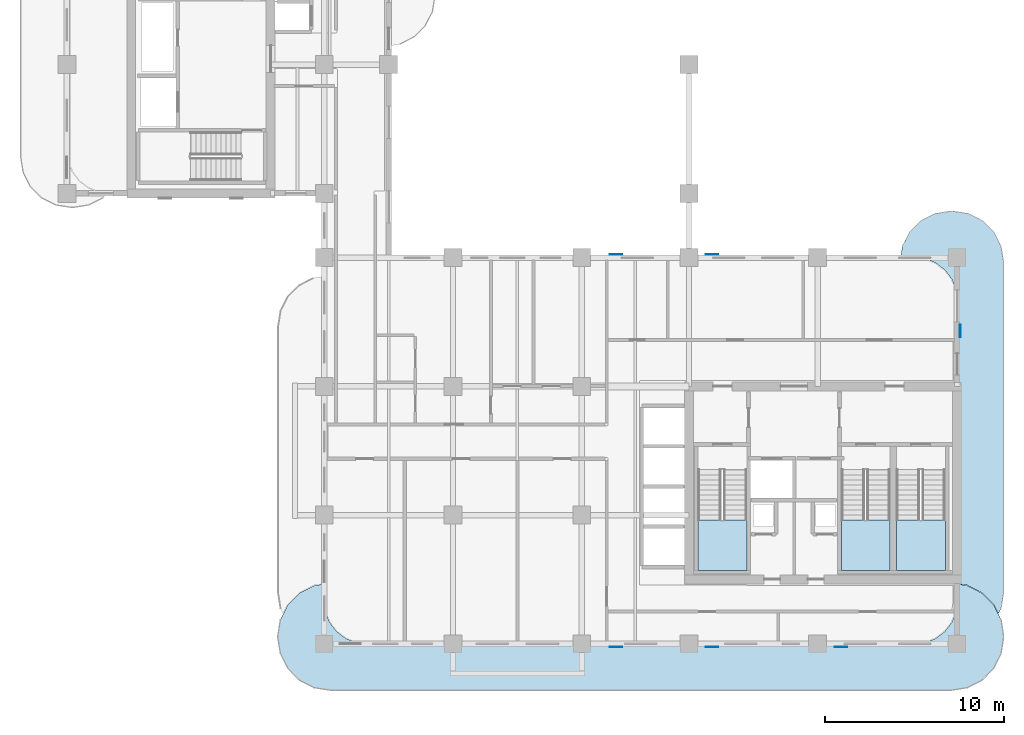
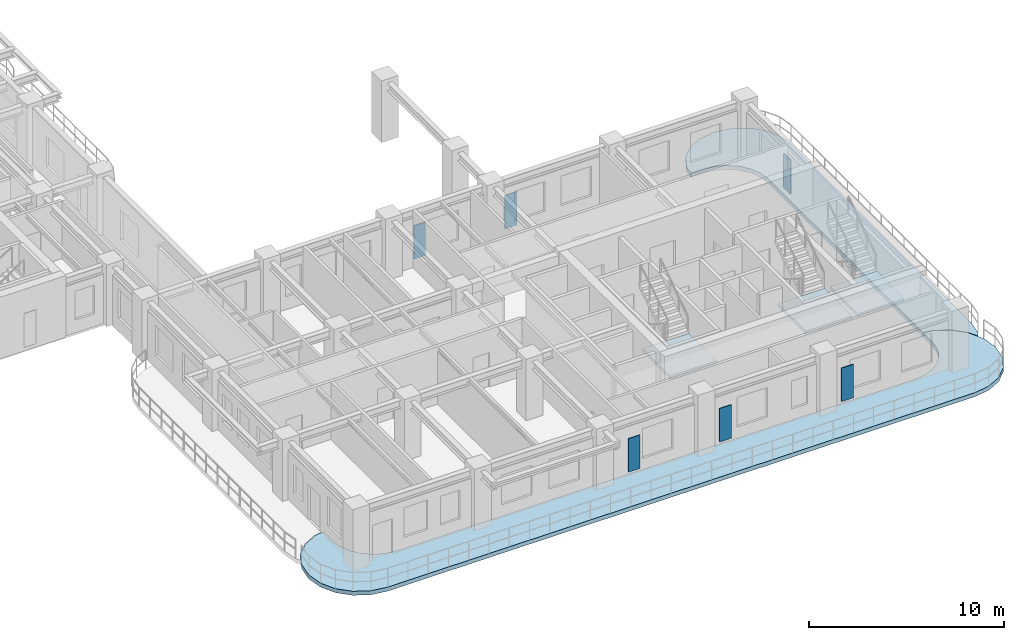
# One storey, part 4 of 15: 6 plates, 5 slabs, 3 elements without a shape of their own.
"""IFC4 building model written with IfcOpenShell, lengths in metres."""

import ifcopenshell
import ifcopenshell.guid

model = None  # the IFC model being written
_history = None  # IfcOwnerHistory: only IFC2X3 demands one
_inside = {}  # id of a spatial element -> (the spatial element, [elements in it])
_under = {}  # id of a project, library or spatial element -> (it, [spatial elements below it])
_declared = {}  # id of a project -> (the project, [libraries it declares])
_typed = {}  # id of a type object -> (the type object, [elements of that type])
_made_of = {}  # id of a material, layer set ... -> (it, [elements and type objects made of it])


def new_model(schema):
    """Start an empty IFC model of exactly this schema.

    Asked for "IFC4X3", IfcOpenShell would pick the latest addendum, in which some entities
    have other attributes; the version numbers below select the first issue.
    IFC2X3 requires an IfcOwnerHistory on every rooted entity: one is made here for all.
    """
    global model, _history
    if schema == "IFC4X3":
        model = ifcopenshell.file(schema_version=(4, 3, 0, 0))
    else:
        model = ifcopenshell.file(schema=schema)
    _inside.clear()
    _under.clear()
    _declared.clear()
    _typed.clear()
    _made_of.clear()
    _history = None
    if model.schema == "IFC2X3":
        org = make("IfcOrganization", Name="unknown")
        user = make(
            "IfcPersonAndOrganization",
            ThePerson=make("IfcPerson", FamilyName="unknown"),
            TheOrganization=org,
        )
        app = make(
            "IfcApplication",
            ApplicationDeveloper=org,
            Version="unknown",
            ApplicationFullName="unknown",
            ApplicationIdentifier="unknown",
        )
        _history = make(
            "IfcOwnerHistory",
            OwningUser=user,
            OwningApplication=app,
            ChangeAction="ADDED",
            CreationDate=0,
        )
    return model


def make(cls, **values):
    """One entity of the class cls with the attributes given. An attribute that is None is left unset."""
    return model.create_entity(
        cls, **{name: value for name, value in values.items() if value is not None}
    )


def rooted(cls, **values):
    """An entity with a GlobalId (a new one), such as an element, a storey or a relation."""
    return make(cls, GlobalId=ifcopenshell.guid.new(), OwnerHistory=_history, **values)


def si_unit(unit_type, name, prefix=None):
    """IfcSIUnit, for example si_unit("LENGTHUNIT", "METRE", prefix="MILLI")."""
    return make("IfcSIUnit", UnitType=unit_type, Prefix=prefix, Name=name)


def derived_unit(unit_type, elements):
    """IfcDerivedUnit: a product of units, each with its exponent."""
    return make(
        "IfcDerivedUnit",
        Elements=[
            make("IfcDerivedUnitElement", Unit=unit, Exponent=power)
            for unit, power in elements
        ],
        UnitType=unit_type,
    )


def assignment(units):
    """IfcUnitAssignment: the units of a project."""
    return None if units is None else make("IfcUnitAssignment", Units=units)


def point(xyz):
    """IfcCartesianPoint."""
    return None if xyz is None else make("IfcCartesianPoint", Coordinates=xyz)


def direction(xyz):
    """IfcDirection."""
    return None if xyz is None else make("IfcDirection", DirectionRatios=xyz)


def frame(location, z_axis=None, x_axis=None):
    """IfcAxis2Placement3D, a coordinate frame: its origin and axes. An axis left out is left unset."""
    return make(
        "IfcAxis2Placement3D",
        Location=point(location),
        Axis=direction(z_axis),
        RefDirection=direction(x_axis),
    )


def frame_2d(location, x_axis=None):
    """IfcAxis2Placement2D, a coordinate frame in the plane: its origin and x axis."""
    return make(
        "IfcAxis2Placement2D", Location=point(location), RefDirection=direction(x_axis)
    )


def origin():
    """The frame at (0, 0, 0) with its axes left unset."""
    return frame((0.0, 0.0, 0.0))


def origin_2d():
    """The frame at (0, 0) in the plane with its x axis left unset."""
    return frame_2d((0.0, 0.0))


def place(relative_to, where):
    """IfcLocalPlacement: puts the frame where relative to a parent placement (None: the world)."""
    return make(
        "IfcLocalPlacement", PlacementRelTo=relative_to, RelativePlacement=where
    )


def context(
    kind, dimensions, precision=None, world=None, true_north=None, identifier=None
):
    """IfcGeometricRepresentationContext, for example the 3D "Model" context."""
    return make(
        "IfcGeometricRepresentationContext",
        ContextIdentifier=identifier,
        ContextType=kind,
        CoordinateSpaceDimension=dimensions,
        Precision=precision,
        WorldCoordinateSystem=world,
        TrueNorth=true_north,
    )


def subcontext(parent, identifier, kind, view, scale=None):
    """IfcGeometricRepresentationSubContext, for example "Body" below "Model"."""
    return make(
        "IfcGeometricRepresentationSubContext",
        ContextIdentifier=identifier,
        ContextType=kind,
        ParentContext=parent,
        TargetScale=scale,
        TargetView=view,
    )


def project(units=None, contexts=None):
    """IfcProject with its units and contexts."""
    return rooted(
        "IfcProject",
        Name="project",
        RepresentationContexts=contexts,
        UnitsInContext=assignment(units),
    )


def spatial(cls, under=None, at=None, **own):
    """A site, building, storey or space (cls), placed at a placement, below another one or the project."""
    s = rooted(cls, ObjectPlacement=at, **own)
    if under is not None:
        _under.setdefault(under.id(), (under, []))[1].append(s)
    return s


def polyline(points):
    """IfcPolyline through the points."""
    return make("IfcPolyline", Points=[point(p) for p in points])


def profile(cls, at=None, kind="AREA", **sizes):
    """A parametric profile (cls). Its sizes go by their IFC names, for example OverallWidth=200.0."""
    return make(cls, ProfileType=kind, Position=at, **sizes)


def rectangle(**sizes):
    """IfcRectangleProfileDef."""
    return profile("IfcRectangleProfileDef", **sizes)


def outline(outer, holes=None, kind="AREA"):
    """IfcArbitraryClosedProfileDef: a profile drawn as a closed curve; with holes, ...WithVoids."""
    if holes is None:
        return make("IfcArbitraryClosedProfileDef", ProfileType=kind, OuterCurve=outer)
    return make(
        "IfcArbitraryProfileDefWithVoids",
        ProfileType=kind,
        OuterCurve=outer,
        InnerCurves=holes,
    )


def extrude(swept, where, along, depth):
    """IfcExtrudedAreaSolid: the profile swept, set in the frame where, extruded along a direction by depth."""
    return make(
        "IfcExtrudedAreaSolid",
        SweptArea=swept,
        Position=where,
        ExtrudedDirection=direction(along),
        Depth=depth,
    )


def shape(context_of_items, identifier, shape_type, items):
    """IfcShapeRepresentation: the items that make up one representation, for example the "Body"."""
    return make(
        "IfcShapeRepresentation",
        ContextOfItems=context_of_items,
        RepresentationIdentifier=identifier,
        RepresentationType=shape_type,
        Items=items,
    )


def source(mapping_origin, context_of_items, identifier, shape_type, items):
    """IfcRepresentationMap: a shape defined once, which mapped items show again and again."""
    return make(
        "IfcRepresentationMap",
        MappingOrigin=mapping_origin,
        MappedRepresentation=shape(context_of_items, identifier, shape_type, items),
    )


def transform(
    local_origin,
    x_axis=None,
    y_axis=None,
    z_axis=None,
    scale=None,
    scale2=None,
    scale3=None,
    uniform=True,
):
    """IfcCartesianTransformationOperator3D, or its non-uniform kind. x_axis, y_axis, z_axis: its Axis1, 2, 3."""
    if uniform:
        return make(
            "IfcCartesianTransformationOperator3D",
            Axis1=direction(x_axis),
            Axis2=direction(y_axis),
            LocalOrigin=point(local_origin),
            Scale=scale,
            Axis3=direction(z_axis),
        )
    return make(
        "IfcCartesianTransformationOperator3DnonUniform",
        Axis1=direction(x_axis),
        Axis2=direction(y_axis),
        LocalOrigin=point(local_origin),
        Scale=scale,
        Axis3=direction(z_axis),
        Scale2=scale2,
        Scale3=scale3,
    )


def mapped(mapping_source, mapping_target):
    """IfcMappedItem: shows the shape of a source again, moved by a transform."""
    return make(
        "IfcMappedItem", MappingSource=mapping_source, MappingTarget=mapping_target
    )


def material(Name=None, Category=None):
    """IfcMaterial."""
    return make("IfcMaterial", Name=Name, Category=Category)


def layer(
    of_material, thickness, ventilated=None, Name=None, Category=None, Priority=None
):
    """IfcMaterialLayer: one layer of a wall or slab, of a material (None: an air gap)."""
    return make(
        "IfcMaterialLayer",
        Material=of_material,
        LayerThickness=thickness,
        IsVentilated=ventilated,
        Name=Name,
        Category=Category,
        Priority=Priority,
    )


def layer_set(layers, Name=None):
    """IfcMaterialLayerSet."""
    return make("IfcMaterialLayerSet", MaterialLayers=layers, LayerSetName=Name)


def made_of(thing, what):
    """Note that an element or type object is made of a material, layer set ...; save() writes the relation."""
    if what is not None:
        _made_of.setdefault(what.id(), (what, []))[1].append(thing)
    return thing


def type_object(cls, material=None, **own):
    """A type object (cls), such as IfcWallType, which elements share."""
    return made_of(rooted(cls, **own), material)


def type_shapes(of_type, sources):
    """Give a type object the sources (RepresentationMaps) that its elements show as mapped items."""
    of_type.RepresentationMaps = sources


def element(
    cls,
    number,
    at=None,
    inside=None,
    cuts=None,
    type_object=None,
    material=None,
    context=None,
    identifier="Body",
    shape_type=None,
    held_by="IfcProductDefinitionShape",
    body=None,
    shapes=None,
    **own,
):
    """One element of the class cls, such as IfcWall. Its Tag is "e" and its number.

    at: its placement. inside: the storey or other place that contains it. cuts: it is an
    opening in that element (IfcRelVoidsElement). A single representation is given by context,
    identifier, shape_type and body (its items); several are given by shapes. held_by: the class
    of the entity that holds the representations. save() writes the other relations.
    """
    e = rooted(cls, Tag="e%d" % number, ObjectPlacement=at, **own)
    if body is not None:
        shapes = [shape(context, identifier, shape_type, body)]
    if shapes is not None:
        e.Representation = make(held_by, Representations=shapes)
    if inside is not None:
        _inside.setdefault(inside.id(), (inside, []))[1].append(e)
    if cuts is not None:
        rooted(
            "IfcRelVoidsElement", RelatingBuildingElement=cuts, RelatedOpeningElement=e
        )
    if type_object is not None:
        _typed.setdefault(type_object.id(), (type_object, []))[1].append(e)
    return made_of(e, material)


def aggregate(whole, parts):
    """IfcRelAggregates: a whole, such as a stair, and the parts it consists of."""
    return rooted("IfcRelAggregates", RelatingObject=whole, RelatedObjects=parts)


def save(model, path):
    """Write the relations noted so far, then the file.

    IfcRelAggregates (storeys below a building ...), IfcRelContainedInSpatialStructure (elements
    in a storey), IfcRelDefinesByType, IfcRelAssociatesMaterial and IfcRelDeclares: one each for
    every whole, place, type object, material and project.
    """
    for whole, parts in _under.values():
        aggregate(whole, parts)
    for where, things in _inside.values():
        rooted(
            "IfcRelContainedInSpatialStructure",
            RelatedElements=things,
            RelatingStructure=where,
        )
    for kind, things in _typed.values():
        rooted("IfcRelDefinesByType", RelatedObjects=things, RelatingType=kind)
    for what, things in _made_of.values():
        rooted("IfcRelAssociatesMaterial", RelatedObjects=things, RelatingMaterial=what)
    for by, libraries in _declared.values():
        rooted("IfcRelDeclares", RelatingContext=by, RelatedDefinitions=libraries)
    model.write(path)


model = new_model("IFC4")

# Units and contexts
model_context = context("Model", 3, precision=1e-05, world=origin(), true_north=direction((0.0, 1.0)))
body_context = subcontext(model_context, "Body", "Model", "MODEL_VIEW")
ifc_project = project(units=[si_unit("LENGTHUNIT", "METRE"), si_unit("AREAUNIT", "SQUARE_METRE"), si_unit("VOLUMEUNIT", "CUBIC_METRE"), si_unit("PLANEANGLEUNIT", "RADIAN"), si_unit("MASSUNIT", "GRAM", prefix="KILO"), si_unit("THERMODYNAMICTEMPERATUREUNIT", "KELVIN"), si_unit("POWERUNIT", "WATT"), derived_unit("THERMALTRANSMITTANCEUNIT", [(si_unit("POWERUNIT", "WATT"), 1), (si_unit("AREAUNIT", "SQUARE_METRE"), -1), (si_unit("THERMODYNAMICTEMPERATUREUNIT", "KELVIN"), -1)])], contexts=[model_context])

# Site, building, storey
site_placement = place(None, origin())
site = spatial("IfcSite", under=ifc_project, at=site_placement, CompositionType="ELEMENT")
building_placement = place(site_placement, origin())
building = spatial("IfcBuilding", under=site, at=building_placement, Name="Zahravan Archway Hotel and Residences", CompositionType="ELEMENT")
storey_placement = place(building_placement, frame((0.0, 0.0, 184.949951171875)))
storey = spatial("IfcBuildingStorey", under=building, at=storey_placement, Name="L46", CompositionType="ELEMENT", Elevation=184.949951171875)

# Slabs
ifc_material_1 = material(Name="Concrete C45/55", Category="concrete")
ifc_layer_1 = layer(ifc_material_1, 0.25, Name="Concrete C45/55", Category="concrete")
ifc_layer_set_1 = layer_set([ifc_layer_1], Name="Concrete C45/55")
slab_type_1 = type_object("IfcSlabType", Name="SLB-BALC-250", PredefinedType="FLOOR", material=ifc_layer_set_1)
slab_1_placement = place(storey_placement, frame((0.0, 0.0, -0.25)))
element("IfcSlab", 1, at=slab_1_placement, inside=storey, type_object=slab_type_1, Name="L46 Wing A South Rounded Balcony Band", PredefinedType="FLOOR", context=body_context, shape_type="SweptSolid", body=[
    extrude(outline(polyline([(50.361572265625, 3.255615234375), (51.18408203125, 2.836669921875), (51.836669921875, 2.18408203125), (52.255615234375, 1.361572265625), (52.39990234375, 0.449951171875), (52.39990234375, 0.35009765625), (52.255615234375, -0.5615234375), (51.836669921875, -1.384033203125), (51.18408203125, -2.03662109375), (50.361572265625, -2.45556640625), (49.449951171875, -2.60009765625), (14.75, -2.60009765625), (13.83837890625, -2.45556640625), (13.01611328125, -2.03662109375), (12.36328125, -1.384033203125), (11.9443359375, -0.5615234375), (11.800048828125, 0.35009765625), (11.800048828125, 0.449951171875), (11.9443359375, 1.361572265625), (12.36328125, 2.18408203125), (13.01611328125, 2.836669921875), (13.83837890625, 3.255615234375), (14.3798828125, 3.34130859375), (14.3798828125, 2.39990234375), (14.380126953125, 2.3974609375), (14.4619140625, 1.776123046875), (14.46240234375, 1.7744140625), (14.462646484375, 1.772705078125), (14.46337890625, 1.77099609375), (14.702880859375, 1.1923828125), (14.703857421875, 1.19091796875), (14.70458984375, 1.189208984375), (14.70556640625, 1.187744140625), (15.0869140625, 0.690673828125), (15.088134765625, 0.689453125), (15.08935546875, 0.688232421875), (15.0908203125, 0.68701171875), (15.587890625, 0.3056640625), (15.58935546875, 0.3046875), (15.5908203125, 0.3037109375), (15.59228515625, 0.302978515625), (16.171142578125, 0.063232421875), (16.1728515625, 0.062744140625), (16.174560546875, 0.062255859375), (16.17626953125, 0.06201171875), (16.79736328125, -0.019775390625), (16.800048828125, -0.02001953125), (47.39990234375, -0.02001953125), (47.402587890625, -0.019775390625), (48.023681640625, 0.06201171875), (48.025390625, 0.062255859375), (48.027099609375, 0.062744140625), (48.02880859375, 0.063232421875), (48.607666015625, 0.302978515625), (48.609130859375, 0.3037109375), (48.610595703125, 0.3046875), (48.6123046875, 0.3056640625), (49.109375, 0.68701171875), (49.110595703125, 0.688232421875), (49.11181640625, 0.689453125), (49.113037109375, 0.690673828125), (49.494384765625, 1.187744140625), (49.495361328125, 1.189208984375), (49.49609375, 1.19091796875), (49.4970703125, 1.1923828125), (49.73681640625, 1.77099609375), (49.7373046875, 1.772705078125), (49.73779296875, 1.7744140625), (49.738037109375, 1.776123046875), (49.81982421875, 2.3974609375), (49.820068359375, 2.39990234375), (49.820068359375, 3.34130859375), (50.361572265625, 3.255615234375)])), origin(), (0.0, 0.0, 1.0), 0.25),
])
slab_2_placement = place(storey_placement, frame((0.0, 0.0, -0.25)))
element("IfcSlab", 2, at=slab_2_placement, inside=storey, type_object=slab_type_1, Name="L46 Wing A East Rounded Balcony Band", PredefinedType="FLOOR", context=body_context, shape_type="SweptSolid", body=[
    extrude(outline(polyline([(46.739501953125, 22.230712890625), (47.144287109375, 23.025146484375), (47.77490234375, 23.65576171875), (48.5693359375, 24.060546875), (49.449951171875, 24.199951171875), (49.550048828125, 24.199951171875), (50.4306640625, 24.060546875), (51.22509765625, 23.65576171875), (51.855712890625, 23.025146484375), (52.260498046875, 22.230712890625), (52.39990234375, 21.35009765625), (52.39990234375, 2.85009765625), (52.260498046875, 1.96923828125), (52.114501953125, 1.6826171875), (51.8544921875, 2.193115234375), (51.853515625, 2.19482421875), (51.85205078125, 2.196533203125), (51.8505859375, 2.197998046875), (51.197998046875, 2.8505859375), (51.196533203125, 2.85205078125), (51.19482421875, 2.853515625), (51.193115234375, 2.8544921875), (50.37060546875, 3.2734375), (50.368896484375, 3.2744140625), (50.36669921875, 3.27490234375), (50.36474609375, 3.275390625), (49.822998046875, 3.361083984375), (49.8212890625, 3.361328125), (49.820068359375, 3.361328125), (49.820068359375, 19.199951171875), (49.81982421875, 19.20263671875), (49.738037109375, 19.82373046875), (49.73779296875, 19.825439453125), (49.7373046875, 19.8271484375), (49.73681640625, 19.828857421875), (49.4970703125, 20.40771484375), (49.49609375, 20.4091796875), (49.495361328125, 20.41064453125), (49.494384765625, 20.412109375), (49.113037109375, 20.9091796875), (49.11181640625, 20.91064453125), (49.110595703125, 20.911865234375), (49.109375, 20.9130859375), (48.6123046875, 21.29443359375), (48.610595703125, 21.29541015625), (48.609130859375, 21.296142578125), (48.607666015625, 21.297119140625), (48.02880859375, 21.53662109375), (48.027099609375, 21.537353515625), (48.025390625, 21.53759765625), (48.023681640625, 21.5380859375), (47.402587890625, 21.619873046875), (47.39990234375, 21.6201171875), (46.642822265625, 21.6201171875), (46.739501953125, 22.230712890625)])), origin(), (0.0, 0.0, 1.0), 0.25),
])

# Stair, slab
ifc_material_2 = material(Name="Concrete C50/60", Category="concrete")
stair_type = type_object("IfcStairType", Name="STR-CORE-1300", PredefinedType="HALF_TURN_STAIR", material=ifc_material_2)
stair_1_placement = place(storey_placement, origin())
stair_1 = element("IfcStair", 3, at=stair_1_placement, inside=storey, type_object=stair_type, Name="L46 Core A Exit Stair 1", PredefinedType="HALF_TURN_STAIR")
ifc_layer_2 = layer(ifc_material_2, 0.199951171875, Name="Concrete C50/60", Category="concrete")
ifc_layer_set_2 = layer_set([ifc_layer_2], Name="Concrete C50/60")
slab_type_2 = type_object("IfcSlabType", Name="SLB-LND-200", PredefinedType="LANDING", material=ifc_layer_set_2)
slab_3_placement = place(storey_placement, frame((0.0, 0.0, 1.72509765625)))
slab_3 = element("IfcSlab", 4, at=slab_3_placement, type_object=slab_type_2, Name="ST-A1 landing 1", PredefinedType="LANDING", context=body_context, shape_type="SweptSolid", body=[
    extrude(outline(polyline([(35.300048828125, 6.929931640625), (35.300048828125, 4.10009765625), (38.0400390625, 4.10009765625), (38.0400390625, 6.929931640625), (35.300048828125, 6.929931640625)])), origin(), (0.0, 0.0, 1.0), 0.199951171875),
])
aggregate(stair_1, [slab_3])

stair_2_placement = place(storey_placement, origin())
stair_2 = element("IfcStair", 5, at=stair_2_placement, inside=storey, type_object=stair_type, Name="L46 Core A Exit Stair 2", PredefinedType="HALF_TURN_STAIR")
slab_4_placement = place(storey_placement, frame((0.0, 0.0, 1.72509765625)))
slab_4 = element("IfcSlab", 6, at=slab_4_placement, type_object=slab_type_2, Name="ST-A2 landing 1", PredefinedType="LANDING", context=body_context, shape_type="SweptSolid", body=[
    extrude(outline(polyline([(43.320068359375, 6.929931640625), (43.320068359375, 4.10009765625), (46.06005859375, 4.10009765625), (46.06005859375, 6.929931640625), (43.320068359375, 6.929931640625)])), origin(), (0.0, 0.0, 1.0), 0.199951171875),
])
aggregate(stair_2, [slab_4])

stair_3_placement = place(storey_placement, origin())
stair_3 = element("IfcStair", 7, at=stair_3_placement, inside=storey, type_object=stair_type, Name="L46 Core A Exit Stair 3", PredefinedType="HALF_TURN_STAIR")
slab_5_placement = place(storey_placement, frame((0.0, 0.0, 1.72509765625)))
slab_5 = element("IfcSlab", 8, at=slab_5_placement, type_object=slab_type_2, Name="ST-A3 landing 1", PredefinedType="LANDING", context=body_context, shape_type="SweptSolid", body=[
    extrude(outline(polyline([(46.39990234375, 6.929931640625), (46.39990234375, 4.10009765625), (49.139892578125, 4.10009765625), (49.139892578125, 6.929931640625), (46.39990234375, 6.929931640625)])), origin(), (0.0, 0.0, 1.0), 0.199951171875),
])
aggregate(stair_3, [slab_5])

# Plates
ifc_material_3 = material(Name="Perforated Cast Bronze Jali Lattice")
ifc_layer_3 = layer(ifc_material_3, 0.044921875, Name="Perforated Cast Bronze Jali Lattice")
ifc_layer_set_3 = layer_set([ifc_layer_3], Name="Perforated Cast Bronze Jali Lattice")
plate_type = type_object("IfcPlateType", Name="PLT-JALI-BAY", PredefinedType="USERDEFINED", material=ifc_layer_set_3)
shared_shape = source(origin(), body_context, "Body", "SweptSolid", [
    extrude(rectangle(XDim=0.699951171875, YDim=0.044921875, at=origin_2d()), origin(), (0.0, 0.0, 1.0), 2.10009765625),
])
type_shapes(plate_type, [shared_shape])
for number, where, z_axis, x_axis, name in (
    (9, (30.7080078125, -0.177978515625, 0.25), (0.0, 0.0, 1.0), (1.0, 0.0, 0.0), "L46 Perforated Bronze Jali Pier Screen 01"),
    (10, (36.10009765625, -0.177978515625, 0.25), (0.0, 0.0, 1.0), (1.0, 0.0, 0.0), "L46 Perforated Bronze Jali Pier Screen 02"),
    (11, (43.300048828125, -0.177978515625, 0.25), (0.0, 0.0, 1.0), (1.0, 0.0, 0.0), "L46 Perforated Bronze Jali Pier Screen 03"),
    (12, (49.97802734375, 17.509033203125, 0.25), (0.0, 0.0, 1.0), (0.0, 1.0, 0.0), "L46 Perforated Bronze Jali Pier Screen 04"),
    (13, (30.708984375, 21.778076171875, 0.25), (0.0, 0.0, 1.0), (1.0, 0.0, 0.0), "L46 Perforated Bronze Jali Pier Screen 05"),
    (14, (36.10009765625, 21.778076171875, 0.25), (0.0, 0.0, 1.0), (1.0, 0.0, 0.0), "L46 Perforated Bronze Jali Pier Screen 06"),
):
    element("IfcPlate", number, at=place(storey_placement, frame(where, z_axis=z_axis, x_axis=x_axis)), inside=storey, type_object=plate_type, Name=name, ObjectType="SCREEN", PredefinedType="USERDEFINED", context=body_context, shape_type="MappedRepresentation", body=[
        mapped(shared_shape, transform((0.0, 0.0, 0.0), scale=1.0)),
    ])

save(model, "model.ifc")
